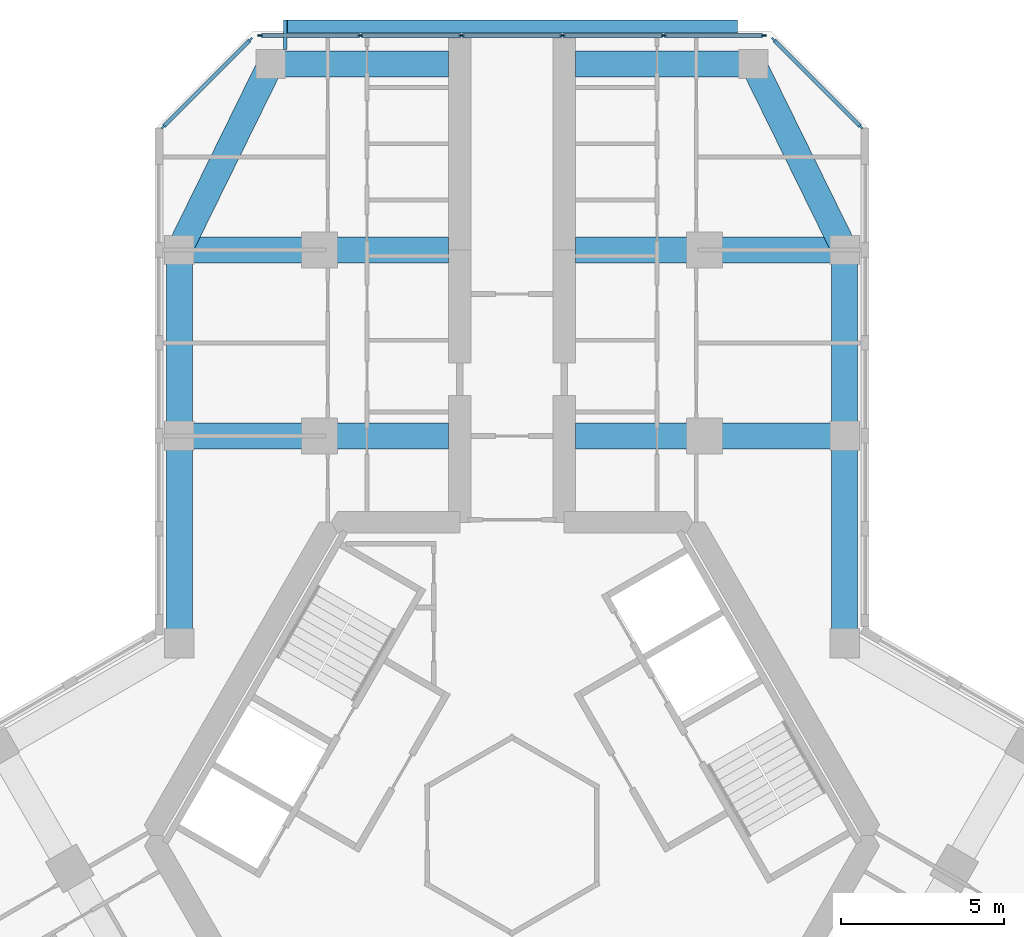
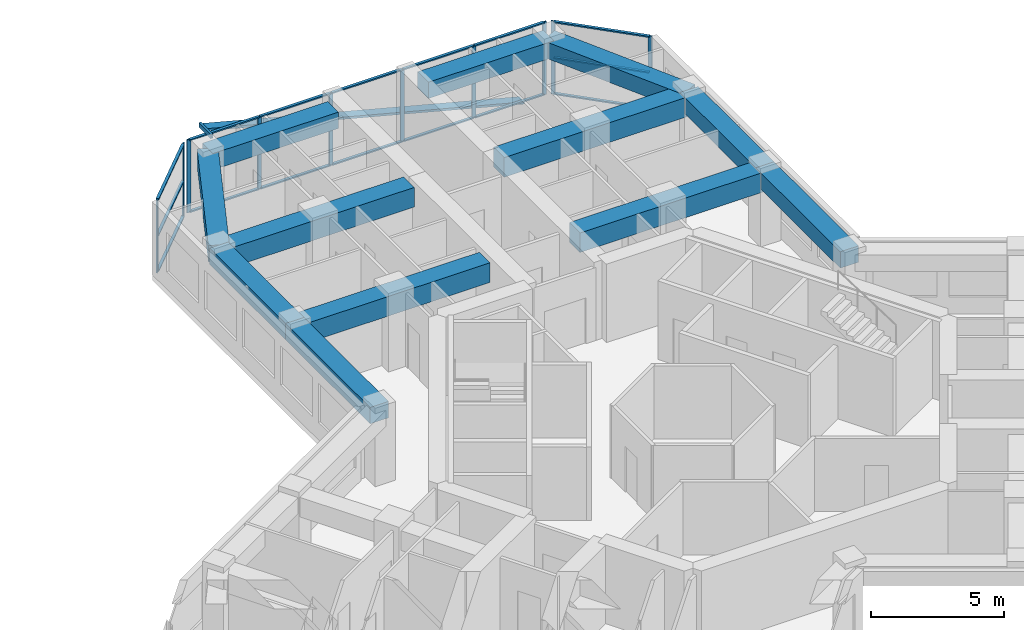
# One storey, part 6 of 17: 28 members, 12 beams, 3 elements without a shape of their own.
"""IFC4 building model written with IfcOpenShell, lengths in metres."""

from ifc_helpers import new_model, si_unit, direction, frame, origin, origin_2d, place, context, subcontext, project, spatial, rectangle, hollow_rectangle, extrude, material, material_profile, profile_set, type_object, element, aggregate, save


model = new_model("IFC4")

# Units and contexts
model_context = context("Model", 3, precision=1e-05, world=origin(), true_north=direction((0.0, 1.0)))
body_context = subcontext(model_context, "Body", "Model", "MODEL_VIEW")
ifc_project = project(units=[si_unit("LENGTHUNIT", "METRE"), si_unit("AREAUNIT", "SQUARE_METRE"), si_unit("VOLUMEUNIT", "CUBIC_METRE"), si_unit("PLANEANGLEUNIT", "RADIAN"), si_unit("MASSUNIT", "GRAM", prefix="KILO")], contexts=[model_context])

# Site, building, storey
site_placement = place(None, origin())
site = spatial("IfcSite", under=ifc_project, at=site_placement, CompositionType="ELEMENT")
building_placement = place(site_placement, origin())
building = spatial("IfcBuilding", under=site, at=building_placement, Name="Kosmar Iwan School Tower", CompositionType="ELEMENT")
storey_placement = place(building_placement, frame((0.0, 0.0, 193.800048828125)))
storey = spatial("IfcBuildingStorey", under=building, at=storey_placement, Name="L48", CompositionType="ELEMENT", Elevation=193.800048828125)

# Members
ifc_material_1 = material(Name="Black anodised aluminium", Category="aluminium")
ifc_material_profile_1 = material_profile(ifc_material_1, rectangle(XDim=0.10009765625, YDim=0.39990234375, at=origin_2d()), Name="FIN 100x400")
ifc_profile_set_1 = profile_set([ifc_material_profile_1], Name="Black anodised aluminium")
member_type_1 = type_object("IfcMemberType", Name="Diagonal fin 100x400", PredefinedType="USERDEFINED", material=ifc_profile_set_1)
member_1_placement = place(storey_placement, frame((6.898193359375, 24.800048828125, -0.150146484375), z_axis=(-0.967599450335, 0.0, 0.252490205179), x_axis=(0.252490205179, 0.0, 0.967599450335)))
element("IfcMember", 1, at=member_1_placement, inside=storey, type_object=member_type_1, Name="Diagonal fin L48-F06", ObjectType="FIN", PredefinedType="USERDEFINED", context=body_context, shape_type="SweptSolid", body=[
    extrude(rectangle(XDim=0.10009765625, YDim=0.39990234375, at=origin_2d()), origin(), (0.0, 0.0, 1.0), 14.25830078125),
])
ifc_material_2 = material(Name="Steel S355", Category="steel")
ifc_material_profile_2 = material_profile(ifc_material_2, hollow_rectangle(XDim=0.10009765625, YDim=0.199951171875, WallThickness=0.008056640625, at=origin_2d()), Name="RHS 200x100x8")
ifc_profile_set_2 = profile_set([ifc_material_profile_2], Name="Steel S355")
member_type_2 = type_object("IfcMemberType", Name="Fin bracket RHS 200x100", PredefinedType="USERDEFINED", material=ifc_profile_set_2)
member_2_placement = place(storey_placement, frame((-6.949951171875, 24.10009765625, 3.474853515625), z_axis=(0.0, 1.0, 0.0), x_axis=(-1.0, 0.0, 0.0)))
element("IfcMember", 2, at=member_2_placement, inside=storey, type_object=member_type_2, Name="Fin bracket L49", ObjectType="FIN BRACKET", PredefinedType="USERDEFINED", context=body_context, shape_type="SweptSolid", body=[
    extrude(hollow_rectangle(XDim=0.10009765625, YDim=0.199951171875, WallThickness=0.008056640625, at=origin_2d()), origin(), (0.0, 0.0, 1.0), 0.89990234375),
])

# Curtain wall, members
ifc_material_3 = material(Name="Dark glass in black aluminium frame", Category="aluminium")
curtain_wall_type_1 = type_object("IfcCurtainWallType", Name="Chamfer curtain wall dark glass", PredefinedType="USERDEFINED", material=ifc_material_3)
curtain_wall_1_placement = place(storey_placement, origin())
curtain_wall_1 = element("IfcCurtainWall", 3, at=curtain_wall_1_placement, inside=storey, type_object=curtain_wall_type_1, Name="Curtain wall L48-F05", ObjectType="FACETED CURTAIN WALL", PredefinedType="USERDEFINED")
ifc_material_4 = material(Name="Black anodised aluminium", Category="aluminium")
ifc_material_profile_3 = material_profile(ifc_material_4, rectangle(XDim=0.06005859375, YDim=0.159912109375, at=origin_2d()), Name="MULLION 60x160")
ifc_profile_set_3 = profile_set([ifc_material_profile_3], Name="Black anodised aluminium")
member_type_3 = type_object("IfcMemberType", Name="Mullion 60x160", PredefinedType="MULLION", material=ifc_profile_set_3)
member_3_placement = place(storey_placement, frame((10.69775390625, 21.7255859375, 0.0), z_axis=(0.0, 0.0, 1.0), x_axis=(-0.707106781187, -0.707106781187, 0.0)))
member_3 = element("IfcMember", 4, at=member_3_placement, type_object=member_type_3, Name="CW2 mullion 1", PredefinedType="MULLION", context=body_context, shape_type="SweptSolid", body=[
    extrude(rectangle(XDim=0.06005859375, YDim=0.159912109375, at=origin_2d()), origin(), (0.0, 0.0, 1.0), 3.349853515625),
])
member_4_placement = place(storey_placement, frame((8.025390625, 24.397705078125, 0.0), z_axis=(0.0, 0.0, 1.0), x_axis=(-0.707106781187, -0.707106781187, 0.0)))
member_4 = element("IfcMember", 5, at=member_4_placement, type_object=member_type_3, Name="CW2 mullion 2", PredefinedType="MULLION", context=body_context, shape_type="SweptSolid", body=[
    extrude(rectangle(XDim=0.06005859375, YDim=0.159912109375, at=origin_2d()), origin(), (0.0, 0.0, 1.0), 3.349853515625),
])

ifc_material_5 = material(Name="Dark glass in black aluminium frame", Category="aluminium")
curtain_wall_type_2 = type_object("IfcCurtainWallType", Name="Tower curtain wall dark glass", PredefinedType="USERDEFINED", material=ifc_material_5)
curtain_wall_2_placement = place(storey_placement, origin())
curtain_wall_2 = element("IfcCurtainWall", 6, at=curtain_wall_2_placement, inside=storey, type_object=curtain_wall_type_2, Name="Curtain wall L48-F06", ObjectType="UNITISED CURTAIN WALL", PredefinedType="USERDEFINED")
member_5_placement = place(storey_placement, frame((7.71826171875, 24.52490234375, 0.0), z_axis=(0.0, 0.0, 1.0), x_axis=(0.0, -1.0, 0.0)))
member_5 = element("IfcMember", 7, at=member_5_placement, type_object=member_type_3, Name="CW1 mullion 1", PredefinedType="MULLION", context=body_context, shape_type="SweptSolid", body=[
    extrude(rectangle(XDim=0.06005859375, YDim=0.159912109375, at=origin_2d()), origin(), (0.0, 0.0, 1.0), 3.349853515625),
])
member_6_placement = place(storey_placement, frame((4.64892578125, 24.52490234375, 0.0), z_axis=(0.0, 0.0, 1.0), x_axis=(0.0, -1.0, 0.0)))
member_6 = element("IfcMember", 8, at=member_6_placement, type_object=member_type_3, Name="CW1 mullion 2", PredefinedType="MULLION", context=body_context, shape_type="SweptSolid", body=[
    extrude(rectangle(XDim=0.06005859375, YDim=0.159912109375, at=origin_2d()), origin(), (0.0, 0.0, 1.0), 3.349853515625),
])
member_7_placement = place(storey_placement, frame((1.549560546875, 24.52490234375, 0.0), z_axis=(0.0, 0.0, 1.0), x_axis=(0.0, -1.0, 0.0)))
member_7 = element("IfcMember", 9, at=member_7_placement, type_object=member_type_3, Name="CW1 mullion 3", PredefinedType="MULLION", context=body_context, shape_type="SweptSolid", body=[
    extrude(rectangle(XDim=0.06005859375, YDim=0.159912109375, at=origin_2d()), origin(), (0.0, 0.0, 1.0), 3.349853515625),
])
member_8_placement = place(storey_placement, frame((-1.549560546875, 24.52490234375, 0.0), z_axis=(0.0, 0.0, 1.0), x_axis=(0.0, -1.0, 0.0)))
member_8 = element("IfcMember", 10, at=member_8_placement, type_object=member_type_3, Name="CW1 mullion 4", PredefinedType="MULLION", context=body_context, shape_type="SweptSolid", body=[
    extrude(rectangle(XDim=0.06005859375, YDim=0.159912109375, at=origin_2d()), origin(), (0.0, 0.0, 1.0), 3.349853515625),
])
member_9_placement = place(storey_placement, frame((-4.64892578125, 24.52490234375, 0.0), z_axis=(0.0, 0.0, 1.0), x_axis=(0.0, -1.0, 0.0)))
member_9 = element("IfcMember", 11, at=member_9_placement, type_object=member_type_3, Name="CW1 mullion 5", PredefinedType="MULLION", context=body_context, shape_type="SweptSolid", body=[
    extrude(rectangle(XDim=0.06005859375, YDim=0.159912109375, at=origin_2d()), origin(), (0.0, 0.0, 1.0), 3.349853515625),
])
member_10_placement = place(storey_placement, frame((-7.71826171875, 24.52490234375, 0.0), z_axis=(0.0, 0.0, 1.0), x_axis=(0.0, -1.0, 0.0)))
member_10 = element("IfcMember", 12, at=member_10_placement, type_object=member_type_3, Name="CW1 mullion 6", PredefinedType="MULLION", context=body_context, shape_type="SweptSolid", body=[
    extrude(rectangle(XDim=0.06005859375, YDim=0.159912109375, at=origin_2d()), origin(), (0.0, 0.0, 1.0), 3.349853515625),
])

curtain_wall_3_placement = place(storey_placement, origin())
curtain_wall_3 = element("IfcCurtainWall", 13, at=curtain_wall_3_placement, inside=storey, type_object=curtain_wall_type_1, Name="Curtain wall L48-F07", ObjectType="FACETED CURTAIN WALL", PredefinedType="USERDEFINED")
member_11_placement = place(storey_placement, frame((-8.025390625, 24.397705078125, 0.0), z_axis=(0.0, 0.0, 1.0), x_axis=(0.707106781187, -0.707106781187, 0.0)))
member_11 = element("IfcMember", 14, at=member_11_placement, type_object=member_type_3, Name="CW2 mullion 1", PredefinedType="MULLION", context=body_context, shape_type="SweptSolid", body=[
    extrude(rectangle(XDim=0.06005859375, YDim=0.159912109375, at=origin_2d()), origin(), (0.0, 0.0, 1.0), 3.349853515625),
])
member_12_placement = place(storey_placement, frame((-10.69775390625, 21.7255859375, 0.0), z_axis=(0.0, 0.0, 1.0), x_axis=(0.707106781187, -0.707106781187, 0.0)))
member_12 = element("IfcMember", 15, at=member_12_placement, type_object=member_type_3, Name="CW2 mullion 2", PredefinedType="MULLION", context=body_context, shape_type="SweptSolid", body=[
    extrude(rectangle(XDim=0.06005859375, YDim=0.159912109375, at=origin_2d()), origin(), (0.0, 0.0, 1.0), 3.349853515625),
])

# Beams
ifc_material_6 = material(Name="Concrete C50/60", Category="concrete")
ifc_material_profile_4 = material_profile(ifc_material_6, rectangle(XDim=0.800048828125, YDim=0.75, at=origin_2d()), Name="RC 800x750")
ifc_profile_set_4 = profile_set([ifc_material_profile_4], Name="Concrete C50/60")
beam_type_1 = type_object("IfcBeamType", Name="RC edge beam 800x750", PredefinedType="BEAM", material=ifc_profile_set_4)
beam_1_placement = place(storey_placement, frame((-10.199951171875, 5.888916015625, 2.974853515625), z_axis=(0.0, 1.0, 0.0), x_axis=(-1.0, 0.0, 0.0)))
element("IfcBeam", 16, at=beam_1_placement, inside=storey, type_object=beam_type_1, Name="Edge beam AL1", PredefinedType="BEAM", context=body_context, shape_type="SweptSolid", body=[
    extrude(rectangle(XDim=0.800048828125, YDim=0.75, at=origin_2d()), origin(), (0.0, 0.0, 1.0), 6.361083984375),
])
beam_2_placement = place(storey_placement, frame((-10.199951171875, 12.25, 2.974853515625), z_axis=(0.0, 1.0, 0.0), x_axis=(-1.0, 0.0, 0.0)))
element("IfcBeam", 17, at=beam_2_placement, inside=storey, type_object=beam_type_1, Name="Edge beam AL2", PredefinedType="BEAM", context=body_context, shape_type="SweptSolid", body=[
    extrude(rectangle(XDim=0.800048828125, YDim=0.75, at=origin_2d()), origin(), (0.0, 0.0, 1.0), 5.699951171875),
])
beam_3_placement = place(storey_placement, frame((10.199951171875, 5.888916015625, 2.974853515625), z_axis=(0.0, 1.0, 0.0), x_axis=(-1.0, 0.0, 0.0)))
element("IfcBeam", 18, at=beam_3_placement, inside=storey, type_object=beam_type_1, Name="Edge beam AR1", PredefinedType="BEAM", context=body_context, shape_type="SweptSolid", body=[
    extrude(rectangle(XDim=0.800048828125, YDim=0.75, at=origin_2d()), origin(), (0.0, 0.0, 1.0), 6.361083984375),
])
beam_4_placement = place(storey_placement, frame((10.199951171875, 12.25, 2.974853515625), z_axis=(0.0, 1.0, 0.0), x_axis=(-1.0, 0.0, 0.0)))
element("IfcBeam", 19, at=beam_4_placement, inside=storey, type_object=beam_type_1, Name="Edge beam AR2", PredefinedType="BEAM", context=body_context, shape_type="SweptSolid", body=[
    extrude(rectangle(XDim=0.800048828125, YDim=0.75, at=origin_2d()), origin(), (0.0, 0.0, 1.0), 5.699951171875),
])
ifc_material_7 = material(Name="Concrete C50/60", Category="concrete")
ifc_material_profile_5 = material_profile(ifc_material_7, rectangle(XDim=0.800048828125, YDim=0.75, at=origin_2d()), Name="RC 800x750")
ifc_profile_set_5 = profile_set([ifc_material_profile_5], Name="Concrete C50/60")
beam_type_2 = type_object("IfcBeamType", Name="RC tip beam 800x750", PredefinedType="BEAM", material=ifc_profile_set_5)
beam_5_placement = place(storey_placement, frame((-10.199951171875, 17.949951171875, 2.974853515625), z_axis=(0.440913116462, 0.897549788999, 0.0), x_axis=(-0.897549788999, 0.440913116462, 0.0)))
element("IfcBeam", 20, at=beam_5_placement, inside=storey, type_object=beam_type_2, Name="Tip beam AL", PredefinedType="BEAM", context=body_context, shape_type="SweptSolid", body=[
    extrude(rectangle(XDim=0.800048828125, YDim=0.75, at=origin_2d()), origin(), (0.0, 0.0, 1.0), 6.3505859375),
])
beam_6_placement = place(storey_placement, frame((-7.39990234375, 23.64990234375, 2.974853515625), z_axis=(1.0, 0.0, 0.0), x_axis=(0.0, 1.0, 0.0)))
element("IfcBeam", 21, at=beam_6_placement, inside=storey, type_object=beam_type_2, Name="Tip beam AL to corridor wall", PredefinedType="BEAM", context=body_context, shape_type="SweptSolid", body=[
    extrude(rectangle(XDim=0.800048828125, YDim=0.75, at=origin_2d()), origin(), (0.0, 0.0, 1.0), 5.449951171875),
])
beam_7_placement = place(storey_placement, frame((10.199951171875, 17.949951171875, 2.974853515625), z_axis=(-0.440913116462, 0.897549788999, 0.0), x_axis=(-0.897549788999, -0.440913116462, 0.0)))
element("IfcBeam", 22, at=beam_7_placement, inside=storey, type_object=beam_type_2, Name="Tip beam AR", PredefinedType="BEAM", context=body_context, shape_type="SweptSolid", body=[
    extrude(rectangle(XDim=0.800048828125, YDim=0.75, at=origin_2d()), origin(), (0.0, 0.0, 1.0), 6.3505859375),
])
beam_8_placement = place(storey_placement, frame((7.39990234375, 23.64990234375, 2.974853515625), z_axis=(-1.0, 0.0, 0.0), x_axis=(0.0, -1.0, 0.0)))
element("IfcBeam", 23, at=beam_8_placement, inside=storey, type_object=beam_type_2, Name="Tip beam AR to corridor wall", PredefinedType="BEAM", context=body_context, shape_type="SweptSolid", body=[
    extrude(rectangle(XDim=0.800048828125, YDim=0.75, at=origin_2d()), origin(), (0.0, 0.0, 1.0), 5.449951171875),
])
ifc_material_8 = material(Name="Concrete C50/60", Category="concrete")
ifc_material_profile_6 = material_profile(ifc_material_8, rectangle(XDim=0.800048828125, YDim=0.89990234375, at=origin_2d()), Name="RC 800x900")
ifc_profile_set_6 = profile_set([ifc_material_profile_6], Name="Concrete C50/60")
beam_type_3 = type_object("IfcBeamType", Name="RC transverse beam 800x900", PredefinedType="BEAM", material=ifc_profile_set_6)
for number, where, z_axis, x_axis, name in (
    (24, (-10.199951171875, 12.25, 2.89990234375), (1.0, 0.0, 0.0), (0.0, 1.0, 0.0), "Transverse beam AL1"),
    (25, (-10.199951171875, 17.949951171875, 2.89990234375), (1.0, 0.0, 0.0), (0.0, 1.0, 0.0), "Transverse beam AL2"),
    (26, (10.199951171875, 12.25, 2.89990234375), (-1.0, 0.0, 0.0), (0.0, -1.0, 0.0), "Transverse beam AR1"),
    (27, (10.199951171875, 17.949951171875, 2.89990234375), (-1.0, 0.0, 0.0), (0.0, -1.0, 0.0), "Transverse beam AR2"),
):
    element("IfcBeam", number, at=place(storey_placement, frame(where, z_axis=z_axis, x_axis=x_axis)), inside=storey, type_object=beam_type_3, Name=name, PredefinedType="BEAM", context=body_context, shape_type="SweptSolid", body=[
        extrude(rectangle(XDim=0.800048828125, YDim=0.89990234375, at=origin_2d()), origin(), (0.0, 0.0, 1.0), 8.25),
    ])

# Member
ifc_material_9 = material(Name="Black anodised aluminium", Category="aluminium")
ifc_material_profile_7 = material_profile(ifc_material_9, rectangle(XDim=0.1201171875, YDim=0.06005859375, at=origin_2d()), Name="TRANSOM 60x120")
ifc_profile_set_7 = profile_set([ifc_material_profile_7], Name="Black anodised aluminium")
member_type_4 = type_object("IfcMemberType", Name="Transom 60x120", PredefinedType="USERDEFINED", material=ifc_profile_set_7)
member_13_placement = place(storey_placement, frame((10.676513671875, 21.746826171875, 0.030029296875), z_axis=(-0.707139603466, 0.707073957383, 0.0), x_axis=(-0.707073957383, -0.707139603466, 0.0)))
member_13 = element("IfcMember", 28, at=member_13_placement, type_object=member_type_4, Name="CW2 transom 1.1", ObjectType="TRANSOM", PredefinedType="USERDEFINED", context=body_context, shape_type="SweptSolid", body=[
    extrude(rectangle(XDim=0.1201171875, YDim=0.06005859375, at=origin_2d()), origin(), (0.0, 0.0, 1.0), 3.718994140625),
])

member_14_placement = place(storey_placement, frame((10.676513671875, 21.746826171875, 1.675048828125), z_axis=(-0.707139603466, 0.707073957383, 0.0), x_axis=(-0.707073957383, -0.707139603466, 0.0)))
member_14 = element("IfcMember", 29, at=member_14_placement, type_object=member_type_4, Name="CW2 transom 1.2", ObjectType="TRANSOM", PredefinedType="USERDEFINED", context=body_context, shape_type="SweptSolid", body=[
    extrude(rectangle(XDim=0.1201171875, YDim=0.06005859375, at=origin_2d()), origin(), (0.0, 0.0, 1.0), 3.718994140625),
])

member_15_placement = place(storey_placement, frame((10.676513671875, 21.746826171875, 3.320068359375), z_axis=(-0.707139603466, 0.707073957383, 0.0), x_axis=(-0.707073957383, -0.707139603466, 0.0)))
member_15 = element("IfcMember", 30, at=member_15_placement, type_object=member_type_4, Name="CW2 transom 1.3", ObjectType="TRANSOM", PredefinedType="USERDEFINED", context=body_context, shape_type="SweptSolid", body=[
    extrude(rectangle(XDim=0.1201171875, YDim=0.06005859375, at=origin_2d()), origin(), (0.0, 0.0, 1.0), 3.718994140625),
])

aggregate(curtain_wall_1, [member_3, member_4, member_13, member_14, member_15])

member_16_placement = place(storey_placement, frame((7.688232421875, 24.52490234375, 0.030029296875), z_axis=(-1.0, 0.0, 0.0), x_axis=(0.0, -1.0, 0.0)))
member_16 = element("IfcMember", 31, at=member_16_placement, type_object=member_type_4, Name="CW1 transom 1.1", ObjectType="TRANSOM", PredefinedType="USERDEFINED", context=body_context, shape_type="SweptSolid", body=[
    extrude(rectangle(XDim=0.1201171875, YDim=0.06005859375, at=origin_2d()), origin(), (0.0, 0.0, 1.0), 3.00927734375),
])

member_17_placement = place(storey_placement, frame((7.688232421875, 24.52490234375, 3.320068359375), z_axis=(-1.0, 0.0, 0.0), x_axis=(0.0, -1.0, 0.0)))
member_17 = element("IfcMember", 32, at=member_17_placement, type_object=member_type_4, Name="CW1 transom 1.2", ObjectType="TRANSOM", PredefinedType="USERDEFINED", context=body_context, shape_type="SweptSolid", body=[
    extrude(rectangle(XDim=0.1201171875, YDim=0.06005859375, at=origin_2d()), origin(), (0.0, 0.0, 1.0), 3.00927734375),
])

member_18_placement = place(storey_placement, frame((4.618896484375, 24.52490234375, 0.030029296875), z_axis=(-1.0, 0.0, 0.0), x_axis=(0.0, -1.0, 0.0)))
member_18 = element("IfcMember", 33, at=member_18_placement, type_object=member_type_4, Name="CW1 transom 2.1", ObjectType="TRANSOM", PredefinedType="USERDEFINED", context=body_context, shape_type="SweptSolid", body=[
    extrude(rectangle(XDim=0.1201171875, YDim=0.06005859375, at=origin_2d()), origin(), (0.0, 0.0, 1.0), 3.039306640625),
])

member_19_placement = place(storey_placement, frame((4.618896484375, 24.52490234375, 3.320068359375), z_axis=(-1.0, 0.0, 0.0), x_axis=(0.0, -1.0, 0.0)))
member_19 = element("IfcMember", 34, at=member_19_placement, type_object=member_type_4, Name="CW1 transom 2.2", ObjectType="TRANSOM", PredefinedType="USERDEFINED", context=body_context, shape_type="SweptSolid", body=[
    extrude(rectangle(XDim=0.1201171875, YDim=0.06005859375, at=origin_2d()), origin(), (0.0, 0.0, 1.0), 3.039306640625),
])

member_20_placement = place(storey_placement, frame((1.51953125, 24.52490234375, 0.030029296875), z_axis=(-1.0, 0.0, 0.0), x_axis=(0.0, -1.0, 0.0)))
member_20 = element("IfcMember", 35, at=member_20_placement, type_object=member_type_4, Name="CW1 transom 3.1", ObjectType="TRANSOM", PredefinedType="USERDEFINED", context=body_context, shape_type="SweptSolid", body=[
    extrude(rectangle(XDim=0.1201171875, YDim=0.06005859375, at=origin_2d()), origin(), (0.0, 0.0, 1.0), 3.0390625),
])

member_21_placement = place(storey_placement, frame((1.51953125, 24.52490234375, 3.320068359375), z_axis=(-1.0, 0.0, 0.0), x_axis=(0.0, -1.0, 0.0)))
member_21 = element("IfcMember", 36, at=member_21_placement, type_object=member_type_4, Name="CW1 transom 3.2", ObjectType="TRANSOM", PredefinedType="USERDEFINED", context=body_context, shape_type="SweptSolid", body=[
    extrude(rectangle(XDim=0.1201171875, YDim=0.06005859375, at=origin_2d()), origin(), (0.0, 0.0, 1.0), 3.0390625),
])

member_22_placement = place(storey_placement, frame((-1.57958984375, 24.52490234375, 0.030029296875), z_axis=(-1.0, 0.0, 0.0), x_axis=(0.0, -1.0, 0.0)))
member_22 = element("IfcMember", 37, at=member_22_placement, type_object=member_type_4, Name="CW1 transom 4.1", ObjectType="TRANSOM", PredefinedType="USERDEFINED", context=body_context, shape_type="SweptSolid", body=[
    extrude(rectangle(XDim=0.1201171875, YDim=0.06005859375, at=origin_2d()), origin(), (0.0, 0.0, 1.0), 3.039306640625),
])

member_23_placement = place(storey_placement, frame((-1.57958984375, 24.52490234375, 3.320068359375), z_axis=(-1.0, 0.0, 0.0), x_axis=(0.0, -1.0, 0.0)))
member_23 = element("IfcMember", 38, at=member_23_placement, type_object=member_type_4, Name="CW1 transom 4.2", ObjectType="TRANSOM", PredefinedType="USERDEFINED", context=body_context, shape_type="SweptSolid", body=[
    extrude(rectangle(XDim=0.1201171875, YDim=0.06005859375, at=origin_2d()), origin(), (0.0, 0.0, 1.0), 3.039306640625),
])

member_24_placement = place(storey_placement, frame((-4.678955078125, 24.52490234375, 0.030029296875), z_axis=(-1.0, 0.0, 0.0), x_axis=(0.0, -1.0, 0.0)))
member_24 = element("IfcMember", 39, at=member_24_placement, type_object=member_type_4, Name="CW1 transom 5.1", ObjectType="TRANSOM", PredefinedType="USERDEFINED", context=body_context, shape_type="SweptSolid", body=[
    extrude(rectangle(XDim=0.1201171875, YDim=0.06005859375, at=origin_2d()), origin(), (0.0, 0.0, 1.0), 3.00927734375),
])

member_25_placement = place(storey_placement, frame((-4.678955078125, 24.52490234375, 3.320068359375), z_axis=(-1.0, 0.0, 0.0), x_axis=(0.0, -1.0, 0.0)))
member_25 = element("IfcMember", 40, at=member_25_placement, type_object=member_type_4, Name="CW1 transom 5.2", ObjectType="TRANSOM", PredefinedType="USERDEFINED", context=body_context, shape_type="SweptSolid", body=[
    extrude(rectangle(XDim=0.1201171875, YDim=0.06005859375, at=origin_2d()), origin(), (0.0, 0.0, 1.0), 3.00927734375),
])

aggregate(curtain_wall_2, [member_5, member_6, member_7, member_8, member_9, member_10, member_16, member_17, member_18, member_19, member_20, member_21, member_22, member_23, member_24, member_25])

member_26_placement = place(storey_placement, frame((-8.046630859375, 24.37646484375, 0.030029296875), z_axis=(-0.707139603466, -0.707073957383, 0.0), x_axis=(0.707073957383, -0.707139603466, 0.0)))
member_26 = element("IfcMember", 41, at=member_26_placement, type_object=member_type_4, Name="CW2 transom 1.1", ObjectType="TRANSOM", PredefinedType="USERDEFINED", context=body_context, shape_type="SweptSolid", body=[
    extrude(rectangle(XDim=0.1201171875, YDim=0.06005859375, at=origin_2d()), origin(), (0.0, 0.0, 1.0), 3.718994140625),
])

member_27_placement = place(storey_placement, frame((-8.046630859375, 24.37646484375, 1.675048828125), z_axis=(-0.707139603466, -0.707073957383, 0.0), x_axis=(0.707073957383, -0.707139603466, 0.0)))
member_27 = element("IfcMember", 42, at=member_27_placement, type_object=member_type_4, Name="CW2 transom 1.2", ObjectType="TRANSOM", PredefinedType="USERDEFINED", context=body_context, shape_type="SweptSolid", body=[
    extrude(rectangle(XDim=0.1201171875, YDim=0.06005859375, at=origin_2d()), origin(), (0.0, 0.0, 1.0), 3.718994140625),
])

member_28_placement = place(storey_placement, frame((-8.046630859375, 24.37646484375, 3.320068359375), z_axis=(-0.707139603466, -0.707073957383, 0.0), x_axis=(0.707073957383, -0.707139603466, 0.0)))
member_28 = element("IfcMember", 43, at=member_28_placement, type_object=member_type_4, Name="CW2 transom 1.3", ObjectType="TRANSOM", PredefinedType="USERDEFINED", context=body_context, shape_type="SweptSolid", body=[
    extrude(rectangle(XDim=0.1201171875, YDim=0.06005859375, at=origin_2d()), origin(), (0.0, 0.0, 1.0), 3.718994140625),
])

aggregate(curtain_wall_3, [member_11, member_12, member_26, member_27, member_28])

save(model, "model.ifc")
